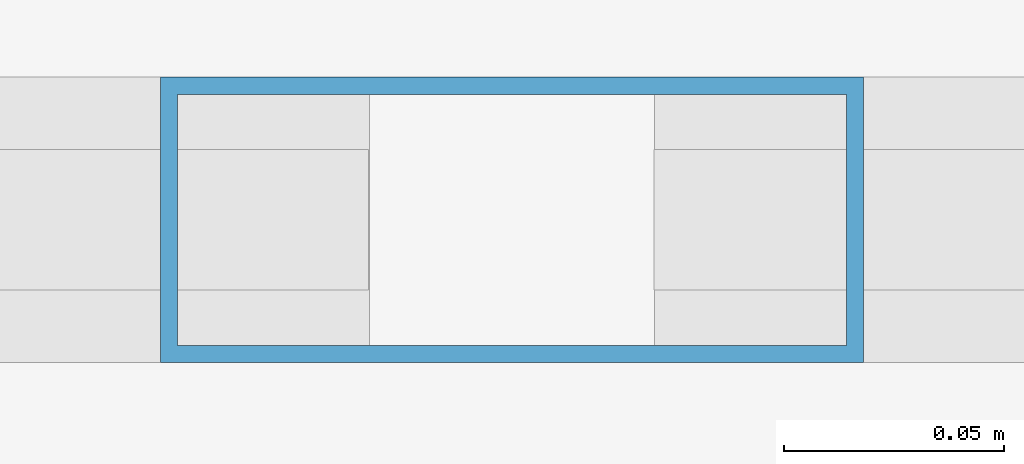
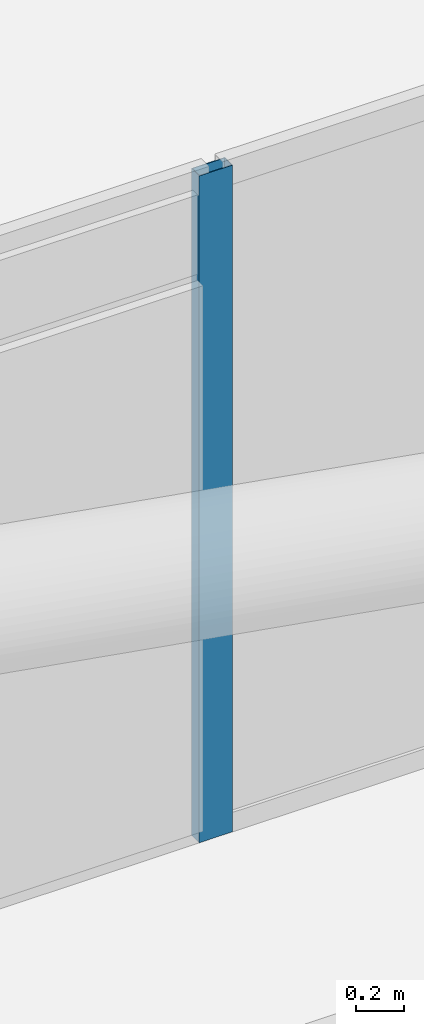
# One storey, part 19 of 50: 1 member, 1 element without a shape of its own.
"""IFC4 building model written with IfcOpenShell, lengths in metres."""

from ifc_helpers import new_model, si_unit, direction, frame, origin, origin_2d, place, context, subcontext, project, spatial, hollow_rectangle, extrude, material, layer, layer_set, material_profile, profile_set, type_object, element, aggregate, save


model = new_model("IFC4")

# Units and contexts
model_context = context("Model", 3, precision=1e-05, world=origin(), true_north=direction((0.0, 1.0)))
body_context = subcontext(model_context, "Body", "Model", "MODEL_VIEW")
ifc_project = project(units=[si_unit("LENGTHUNIT", "METRE"), si_unit("AREAUNIT", "SQUARE_METRE"), si_unit("VOLUMEUNIT", "CUBIC_METRE"), si_unit("PLANEANGLEUNIT", "RADIAN"), si_unit("MASSUNIT", "GRAM", prefix="KILO")], contexts=[model_context])

# Site, building, storey
site_placement = place(None, origin())
site = spatial("IfcSite", under=ifc_project, at=site_placement, CompositionType="ELEMENT")
building_placement = place(site_placement, origin())
building = spatial("IfcBuilding", under=site, at=building_placement, Name="Caelvoria Tower", CompositionType="ELEMENT")
storey_placement = place(building_placement, frame((0.0, 0.0, 71.199951171875)))
storey = spatial("IfcBuildingStorey", under=building, at=storey_placement, Name="L18", CompositionType="ELEMENT", Elevation=71.199951171875)

# Curtain wall, member
ifc_material_1 = material(Name="Anodised Bronze Aluminium and Low-E Glass", Category="aluminium")
ifc_layer = layer(ifc_material_1, 0.18505859375, Name="Anodised Bronze Aluminium and Low-E Glass")
ifc_layer_set = layer_set([ifc_layer], Name="CW System 2 Lower Tower Bronze Unitised Facade - Anodised Bronze Aluminium and Low-E Glass")
curtain_wall_type = type_object("IfcCurtainWallType", Name="CW System 2 Lower Tower Bronze Unitised Facade", PredefinedType="NOTDEFINED", material=ifc_layer_set)
curtain_wall_placement = place(storey_placement, origin())
curtain_wall = element("IfcCurtainWall", 1, at=curtain_wall_placement, inside=storey, type_object=curtain_wall_type, Name="CW-02 Curtain Wall L18-E0", PredefinedType="NOTDEFINED")
ifc_material_2 = material(Name="Anodised Bronze Architectural Aluminium", Category="aluminium")
ifc_material_profile = material_profile(ifc_material_2, hollow_rectangle(XDim=0.06494140625, YDim=0.159912109375, WallThickness=0.00390625, at=origin_2d()), Name="Anodised Bronze Architectural Aluminium")
ifc_profile_set = profile_set([ifc_material_profile], Name="CW_MULL_65X160 - Anodised Bronze Architectural Aluminium")
member_type = type_object("IfcMemberType", Name="Curtain Wall Mullion 65x160 Bronze Aluminium", PredefinedType="MULLION", material=ifc_profile_set)
member_placement = place(storey_placement, frame((54.914306640625, 10.179931640625, 0.0), z_axis=(0.0, 0.0, 1.0), x_axis=(0.0, 1.0, 0.0)))
member = element("IfcMember", 2, at=member_placement, type_object=member_type, Name="CW-02 mullion 11", PredefinedType="MULLION", context=body_context, shape_type="SweptSolid", body=[
    extrude(hollow_rectangle(XDim=0.06494140625, YDim=0.159912109375, WallThickness=0.00390625, at=origin_2d()), origin(), (0.0, 0.0, 1.0), 3.360107421875),
])
aggregate(curtain_wall, [member])

save(model, "model.ifc")
